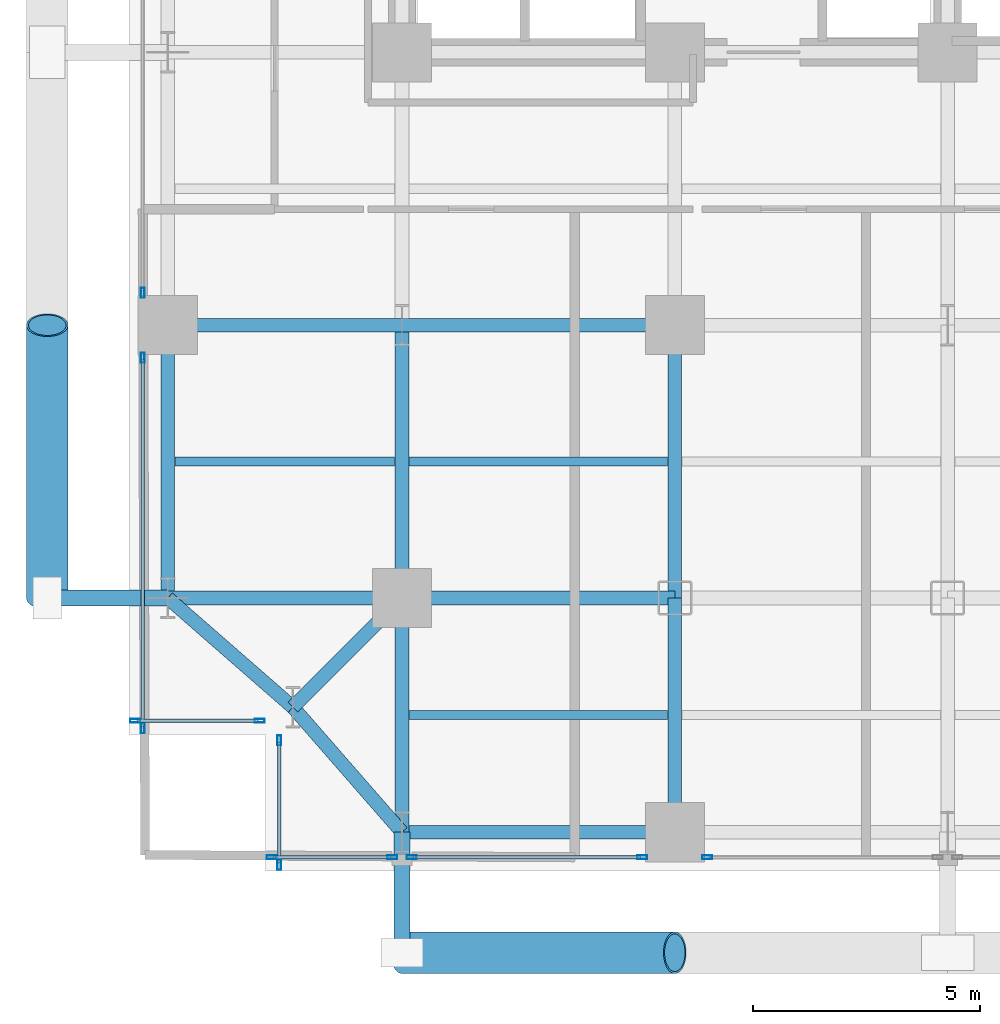
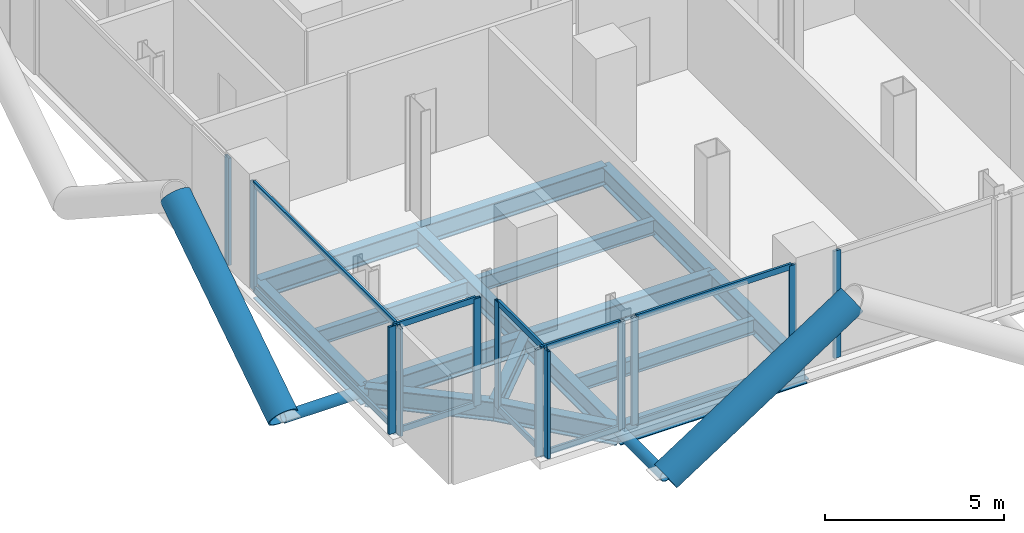
# One storey, part 2 of 27: 26 members, 16 beams, 7 elements without a shape of their own.
"""IFC4 building model written with IfcOpenShell, lengths in metres."""

import ifcopenshell
import ifcopenshell.guid

model = None  # the IFC model being written
_history = None  # IfcOwnerHistory: only IFC2X3 demands one
_inside = {}  # id of a spatial element -> (the spatial element, [elements in it])
_under = {}  # id of a project, library or spatial element -> (it, [spatial elements below it])
_declared = {}  # id of a project -> (the project, [libraries it declares])
_typed = {}  # id of a type object -> (the type object, [elements of that type])
_made_of = {}  # id of a material, layer set ... -> (it, [elements and type objects made of it])


def new_model(schema):
    """Start an empty IFC model of exactly this schema.

    Asked for "IFC4X3", IfcOpenShell would pick the latest addendum, in which some entities
    have other attributes; the version numbers below select the first issue.
    IFC2X3 requires an IfcOwnerHistory on every rooted entity: one is made here for all.
    """
    global model, _history
    if schema == "IFC4X3":
        model = ifcopenshell.file(schema_version=(4, 3, 0, 0))
    else:
        model = ifcopenshell.file(schema=schema)
    _inside.clear()
    _under.clear()
    _declared.clear()
    _typed.clear()
    _made_of.clear()
    _history = None
    if model.schema == "IFC2X3":
        org = make("IfcOrganization", Name="unknown")
        user = make(
            "IfcPersonAndOrganization",
            ThePerson=make("IfcPerson", FamilyName="unknown"),
            TheOrganization=org,
        )
        app = make(
            "IfcApplication",
            ApplicationDeveloper=org,
            Version="unknown",
            ApplicationFullName="unknown",
            ApplicationIdentifier="unknown",
        )
        _history = make(
            "IfcOwnerHistory",
            OwningUser=user,
            OwningApplication=app,
            ChangeAction="ADDED",
            CreationDate=0,
        )
    return model


def make(cls, **values):
    """One entity of the class cls with the attributes given. An attribute that is None is left unset."""
    return model.create_entity(
        cls, **{name: value for name, value in values.items() if value is not None}
    )


def rooted(cls, **values):
    """An entity with a GlobalId (a new one), such as an element, a storey or a relation."""
    return make(cls, GlobalId=ifcopenshell.guid.new(), OwnerHistory=_history, **values)


def si_unit(unit_type, name, prefix=None):
    """IfcSIUnit, for example si_unit("LENGTHUNIT", "METRE", prefix="MILLI")."""
    return make("IfcSIUnit", UnitType=unit_type, Prefix=prefix, Name=name)


def assignment(units):
    """IfcUnitAssignment: the units of a project."""
    return None if units is None else make("IfcUnitAssignment", Units=units)


def point(xyz):
    """IfcCartesianPoint."""
    return None if xyz is None else make("IfcCartesianPoint", Coordinates=xyz)


def direction(xyz):
    """IfcDirection."""
    return None if xyz is None else make("IfcDirection", DirectionRatios=xyz)


def frame(location, z_axis=None, x_axis=None):
    """IfcAxis2Placement3D, a coordinate frame: its origin and axes. An axis left out is left unset."""
    return make(
        "IfcAxis2Placement3D",
        Location=point(location),
        Axis=direction(z_axis),
        RefDirection=direction(x_axis),
    )


def frame_2d(location, x_axis=None):
    """IfcAxis2Placement2D, a coordinate frame in the plane: its origin and x axis."""
    return make(
        "IfcAxis2Placement2D", Location=point(location), RefDirection=direction(x_axis)
    )


def origin():
    """The frame at (0, 0, 0) with its axes left unset."""
    return frame((0.0, 0.0, 0.0))


def origin_2d():
    """The frame at (0, 0) in the plane with its x axis left unset."""
    return frame_2d((0.0, 0.0))


def place(relative_to, where):
    """IfcLocalPlacement: puts the frame where relative to a parent placement (None: the world)."""
    return make(
        "IfcLocalPlacement", PlacementRelTo=relative_to, RelativePlacement=where
    )


def context(
    kind, dimensions, precision=None, world=None, true_north=None, identifier=None
):
    """IfcGeometricRepresentationContext, for example the 3D "Model" context."""
    return make(
        "IfcGeometricRepresentationContext",
        ContextIdentifier=identifier,
        ContextType=kind,
        CoordinateSpaceDimension=dimensions,
        Precision=precision,
        WorldCoordinateSystem=world,
        TrueNorth=true_north,
    )


def subcontext(parent, identifier, kind, view, scale=None):
    """IfcGeometricRepresentationSubContext, for example "Body" below "Model"."""
    return make(
        "IfcGeometricRepresentationSubContext",
        ContextIdentifier=identifier,
        ContextType=kind,
        ParentContext=parent,
        TargetScale=scale,
        TargetView=view,
    )


def project(units=None, contexts=None):
    """IfcProject with its units and contexts."""
    return rooted(
        "IfcProject",
        Name="project",
        RepresentationContexts=contexts,
        UnitsInContext=assignment(units),
    )


def spatial(cls, under=None, at=None, **own):
    """A site, building, storey or space (cls), placed at a placement, below another one or the project."""
    s = rooted(cls, ObjectPlacement=at, **own)
    if under is not None:
        _under.setdefault(under.id(), (under, []))[1].append(s)
    return s


def profile(cls, at=None, kind="AREA", **sizes):
    """A parametric profile (cls). Its sizes go by their IFC names, for example OverallWidth=200.0."""
    return make(cls, ProfileType=kind, Position=at, **sizes)


def hollow_rectangle(**sizes):
    """IfcRectangleHollowProfileDef."""
    return profile("IfcRectangleHollowProfileDef", **sizes)


def hollow_circle(**sizes):
    """IfcCircleHollowProfileDef."""
    return profile("IfcCircleHollowProfileDef", **sizes)


def i_section(**sizes):
    """IfcIShapeProfileDef."""
    return profile("IfcIShapeProfileDef", **sizes)


def extrude(swept, where, along, depth):
    """IfcExtrudedAreaSolid: the profile swept, set in the frame where, extruded along a direction by depth."""
    return make(
        "IfcExtrudedAreaSolid",
        SweptArea=swept,
        Position=where,
        ExtrudedDirection=direction(along),
        Depth=depth,
    )


def shape(context_of_items, identifier, shape_type, items):
    """IfcShapeRepresentation: the items that make up one representation, for example the "Body"."""
    return make(
        "IfcShapeRepresentation",
        ContextOfItems=context_of_items,
        RepresentationIdentifier=identifier,
        RepresentationType=shape_type,
        Items=items,
    )


def material(Name=None, Category=None):
    """IfcMaterial."""
    return make("IfcMaterial", Name=Name, Category=Category)


def layer(
    of_material, thickness, ventilated=None, Name=None, Category=None, Priority=None
):
    """IfcMaterialLayer: one layer of a wall or slab, of a material (None: an air gap)."""
    return make(
        "IfcMaterialLayer",
        Material=of_material,
        LayerThickness=thickness,
        IsVentilated=ventilated,
        Name=Name,
        Category=Category,
        Priority=Priority,
    )


def layer_set(layers, Name=None):
    """IfcMaterialLayerSet."""
    return make("IfcMaterialLayerSet", MaterialLayers=layers, LayerSetName=Name)


def material_profile(
    of_material, cross_section, Name=None, Category=None, Priority=None
):
    """IfcMaterialProfile: a cross section and its material."""
    return make(
        "IfcMaterialProfile",
        Name=Name,
        Material=of_material,
        Profile=cross_section,
        Priority=Priority,
        Category=Category,
    )


def profile_set(profiles, Name=None, composite=None):
    """IfcMaterialProfileSet."""
    return make(
        "IfcMaterialProfileSet",
        Name=Name,
        MaterialProfiles=profiles,
        CompositeProfile=composite,
    )


def made_of(thing, what):
    """Note that an element or type object is made of a material, layer set ...; save() writes the relation."""
    if what is not None:
        _made_of.setdefault(what.id(), (what, []))[1].append(thing)
    return thing


def type_object(cls, material=None, **own):
    """A type object (cls), such as IfcWallType, which elements share."""
    return made_of(rooted(cls, **own), material)


def element(
    cls,
    number,
    at=None,
    inside=None,
    cuts=None,
    type_object=None,
    material=None,
    context=None,
    identifier="Body",
    shape_type=None,
    held_by="IfcProductDefinitionShape",
    body=None,
    shapes=None,
    **own,
):
    """One element of the class cls, such as IfcWall. Its Tag is "e" and its number.

    at: its placement. inside: the storey or other place that contains it. cuts: it is an
    opening in that element (IfcRelVoidsElement). A single representation is given by context,
    identifier, shape_type and body (its items); several are given by shapes. held_by: the class
    of the entity that holds the representations. save() writes the other relations.
    """
    e = rooted(cls, Tag="e%d" % number, ObjectPlacement=at, **own)
    if body is not None:
        shapes = [shape(context, identifier, shape_type, body)]
    if shapes is not None:
        e.Representation = make(held_by, Representations=shapes)
    if inside is not None:
        _inside.setdefault(inside.id(), (inside, []))[1].append(e)
    if cuts is not None:
        rooted(
            "IfcRelVoidsElement", RelatingBuildingElement=cuts, RelatedOpeningElement=e
        )
    if type_object is not None:
        _typed.setdefault(type_object.id(), (type_object, []))[1].append(e)
    return made_of(e, material)


def aggregate(whole, parts):
    """IfcRelAggregates: a whole, such as a stair, and the parts it consists of."""
    return rooted("IfcRelAggregates", RelatingObject=whole, RelatedObjects=parts)


def save(model, path):
    """Write the relations noted so far, then the file.

    IfcRelAggregates (storeys below a building ...), IfcRelContainedInSpatialStructure (elements
    in a storey), IfcRelDefinesByType, IfcRelAssociatesMaterial and IfcRelDeclares: one each for
    every whole, place, type object, material and project.
    """
    for whole, parts in _under.values():
        aggregate(whole, parts)
    for where, things in _inside.values():
        rooted(
            "IfcRelContainedInSpatialStructure",
            RelatedElements=things,
            RelatingStructure=where,
        )
    for kind, things in _typed.values():
        rooted("IfcRelDefinesByType", RelatedObjects=things, RelatingType=kind)
    for what, things in _made_of.values():
        rooted("IfcRelAssociatesMaterial", RelatedObjects=things, RelatingMaterial=what)
    for by, libraries in _declared.values():
        rooted("IfcRelDeclares", RelatingContext=by, RelatedDefinitions=libraries)
    model.write(path)


model = new_model("IFC4")

# Units and contexts
model_context = context("Model", 3, precision=1e-05, world=origin(), true_north=direction((0.0, 1.0)))
body_context = subcontext(model_context, "Body", "Model", "MODEL_VIEW")
ifc_project = project(units=[si_unit("LENGTHUNIT", "METRE"), si_unit("AREAUNIT", "SQUARE_METRE"), si_unit("VOLUMEUNIT", "CUBIC_METRE"), si_unit("PLANEANGLEUNIT", "RADIAN"), si_unit("MASSUNIT", "GRAM", prefix="KILO"), si_unit("THERMODYNAMICTEMPERATUREUNIT", "KELVIN"), si_unit("POWERUNIT", "WATT")], contexts=[model_context])

# Site, building, storey
site_placement = place(None, origin())
site = spatial("IfcSite", under=ifc_project, at=site_placement, CompositionType="ELEMENT")
building_placement = place(site_placement, origin())
building = spatial("IfcBuilding", under=site, at=building_placement, Name="Svarakhadi Broadcast Tower", CompositionType="ELEMENT")
storey_placement = place(building_placement, frame((0.0, 0.0, 71.39990234375)))
storey = spatial("IfcBuildingStorey", under=building, at=storey_placement, Name="L16", CompositionType="ELEMENT", Elevation=71.39990234375)

# Beams
ifc_material_1 = material(Name="Steel S355J2 (IS 2062 E350C)", Category="steel")
ifc_material_profile_1 = material_profile(ifc_material_1, i_section(OverallWidth=0.199951171875, OverallDepth=0.5, WebThickness=0.01025390625, FlangeThickness=0.01611328125, FilletRadius=0.02099609375, at=origin_2d()), Name="NPB 500x200x91")
ifc_profile_set_1 = profile_set([ifc_material_profile_1], Name="Steel S355J2 (IS 2062 E350C)")
beam_type_1 = type_object("IfcBeamType", Name="Beam_NPB500", PredefinedType="BEAM", material=ifc_profile_set_1)
beam_1_placement = place(storey_placement, frame((1.010009765625, 9.0, -0.5), z_axis=(1.0, 0.0, 0.0), x_axis=(0.0, 1.0, 0.0)))
element("IfcBeam", 1, at=beam_1_placement, inside=storey, type_object=beam_type_1, Name="L16 Secondary Composite Beam SB001", PredefinedType="BEAM", context=body_context, shape_type="SweptSolid", body=[
    extrude(i_section(OverallWidth=0.199951171875, OverallDepth=0.5, WebThickness=0.01025390625, FlangeThickness=0.01611328125, FilletRadius=0.02099609375, at=origin_2d()), origin(), (0.0, 0.0, 1.0), 4.830078125),
])
for number, where, z_axis, x_axis, name in (
    (2, (6.159912109375, 3.425048828125, -0.5), (1.0, 0.0, 0.0), (0.0, 1.0, 0.0), "L16 Secondary Composite Beam SB007"),
    (3, (6.159912109375, 9.0, -0.5), (1.0, 0.0, 0.0), (0.0, 1.0, 0.0), "L16 Secondary Composite Beam SB008"),
):
    element("IfcBeam", number, at=place(storey_placement, frame(where, z_axis=z_axis, x_axis=x_axis)), inside=storey, type_object=beam_type_1, Name=name, PredefinedType="BEAM", context=body_context, shape_type="SweptSolid", body=[
        extrude(i_section(OverallWidth=0.199951171875, OverallDepth=0.5, WebThickness=0.01025390625, FlangeThickness=0.01611328125, FilletRadius=0.02099609375, at=origin_2d()), origin(), (0.0, 0.0, 1.0), 5.68017578125),
    ])

# Curtain wall, members
ifc_material_2 = material(Name="Anodised Bronze Aluminium AA 6063-T6", Category="aluminium")
ifc_layer = layer(ifc_material_2, 0.219970703125)
ifc_layer_set = layer_set([ifc_layer], Name="Anodised Bronze Aluminium AA 6063-T6")
curtain_wall_type = type_object("IfcCurtainWallType", Name="CW_Sys_02", PredefinedType="NOTDEFINED", material=ifc_layer_set)
curtain_wall_1_placement = place(storey_placement, origin())
curtain_wall_1 = element("IfcCurtainWall", 4, at=curtain_wall_1_placement, inside=storey, type_object=curtain_wall_type, Name="L16 Unitised Facade Curtain Wall 01", PredefinedType="NOTDEFINED")
ifc_material_profile_2 = material_profile(ifc_material_2, hollow_rectangle(XDim=0.0849609375, YDim=0.219970703125, WallThickness=0.006103515625, at=origin_2d()), Name="ALU MULLION 220x85x6")
ifc_profile_set_2 = profile_set([ifc_material_profile_2], Name="Anodised Bronze Aluminium AA 6063-T6")
member_type_1 = type_object("IfcMemberType", Name="CW_Sys_02_Mul", PredefinedType="MULLION", material=ifc_profile_set_2)
member_1_placement = place(storey_placement, frame((2.867431640625, 3.300048828125, 0.0), z_axis=(0.0, 0.0, 1.0), x_axis=(0.0, -1.0, 0.0)))
member_1 = element("IfcMember", 5, at=member_1_placement, type_object=member_type_1, Name="CW-02 mullion 1", PredefinedType="MULLION", context=body_context, shape_type="SweptSolid", body=[
    extrude(hollow_rectangle(XDim=0.0849609375, YDim=0.219970703125, WallThickness=0.006103515625, at=origin_2d()), origin(), (0.0, 0.0, 1.0), 3.650146484375),
])
member_2_placement = place(storey_placement, frame((0.132568359375, 3.300048828125, 0.0), z_axis=(0.0, 0.0, 1.0), x_axis=(0.0, -1.0, 0.0)))
member_2 = element("IfcMember", 6, at=member_2_placement, type_object=member_type_1, Name="CW-02 mullion 2", PredefinedType="MULLION", context=body_context, shape_type="SweptSolid", body=[
    extrude(hollow_rectangle(XDim=0.0849609375, YDim=0.219970703125, WallThickness=0.006103515625, at=origin_2d()), origin(), (0.0, 0.0, 1.0), 3.650146484375),
])

curtain_wall_2_placement = place(storey_placement, origin())
curtain_wall_2 = element("IfcCurtainWall", 7, at=curtain_wall_2_placement, inside=storey, type_object=curtain_wall_type, Name="L16 West Curtain Wall 02 Bay 1", PredefinedType="NOTDEFINED")
member_3_placement = place(storey_placement, frame((0.300048828125, 3.132568359375, 0.0), z_axis=(0.0, 0.0, 1.0), x_axis=(-1.0, 0.0, 0.0)))
member_3 = element("IfcMember", 8, at=member_3_placement, type_object=member_type_1, Name="CW-02 mullion 1", PredefinedType="MULLION", context=body_context, shape_type="SweptSolid", body=[
    extrude(hollow_rectangle(XDim=0.0849609375, YDim=0.219970703125, WallThickness=0.006103515625, at=origin_2d()), origin(), (0.0, 0.0, 1.0), 3.650146484375),
])
member_4_placement = place(storey_placement, frame((0.300048828125, 11.28759765625, 0.0), z_axis=(0.0, 0.0, 1.0), x_axis=(-1.0, 0.0, 0.0)))
member_4 = element("IfcMember", 9, at=member_4_placement, type_object=member_type_1, Name="CW-02 mullion 2", PredefinedType="MULLION", context=body_context, shape_type="SweptSolid", body=[
    extrude(hollow_rectangle(XDim=0.0849609375, YDim=0.219970703125, WallThickness=0.006103515625, at=origin_2d()), origin(), (0.0, 0.0, 1.0), 3.650146484375),
])

# Curtain wall, member
curtain_wall_3_placement = place(storey_placement, origin())
curtain_wall_3 = element("IfcCurtainWall", 10, at=curtain_wall_3_placement, inside=storey, type_object=curtain_wall_type, Name="L16 West Curtain Wall 02 Bay 2", PredefinedType="NOTDEFINED")
member_5_placement = place(storey_placement, frame((0.300048828125, 12.71240234375, 0.0), z_axis=(0.0, 0.0, 1.0), x_axis=(-1.0, 0.0, 0.0)))
member_5 = element("IfcMember", 11, at=member_5_placement, type_object=member_type_1, Name="CW-02 mullion 1", PredefinedType="MULLION", context=body_context, shape_type="SweptSolid", body=[
    extrude(hollow_rectangle(XDim=0.0849609375, YDim=0.219970703125, WallThickness=0.006103515625, at=origin_2d()), origin(), (0.0, 0.0, 1.0), 3.650146484375),
])
aggregate(curtain_wall_3, [member_5])

curtain_wall_4_placement = place(storey_placement, origin())
curtain_wall_4 = element("IfcCurtainWall", 12, at=curtain_wall_4_placement, inside=storey, type_object=curtain_wall_type, Name="L16 South Curtain Wall 17 Bay 5", PredefinedType="NOTDEFINED")
member_6_placement = place(storey_placement, frame((12.71240234375, 0.300048828125, 0.0), z_axis=(0.0, 0.0, 1.0), x_axis=(0.0, -1.0, 0.0)))
member_6 = element("IfcMember", 13, at=member_6_placement, type_object=member_type_1, Name="CW-02 mullion 2", PredefinedType="MULLION", context=body_context, shape_type="SweptSolid", body=[
    extrude(hollow_rectangle(XDim=0.0849609375, YDim=0.219970703125, WallThickness=0.006103515625, at=origin_2d()), origin(), (0.0, 0.0, 1.0), 3.650146484375),
])
aggregate(curtain_wall_4, [member_6])

# Curtain wall, members
curtain_wall_5_placement = place(storey_placement, origin())
curtain_wall_5 = element("IfcCurtainWall", 14, at=curtain_wall_5_placement, inside=storey, type_object=curtain_wall_type, Name="L16 South Curtain Wall 17 Bay 6", PredefinedType="NOTDEFINED")
member_7_placement = place(storey_placement, frame((11.28759765625, 0.300048828125, 0.0), z_axis=(0.0, 0.0, 1.0), x_axis=(0.0, -1.0, 0.0)))
member_7 = element("IfcMember", 15, at=member_7_placement, type_object=member_type_1, Name="CW-02 mullion 1", PredefinedType="MULLION", context=body_context, shape_type="SweptSolid", body=[
    extrude(hollow_rectangle(XDim=0.0849609375, YDim=0.219970703125, WallThickness=0.006103515625, at=origin_2d()), origin(), (0.0, 0.0, 1.0), 3.650146484375),
])
member_8_placement = place(storey_placement, frame((6.21240234375, 0.300048828125, 0.0), z_axis=(0.0, 0.0, 1.0), x_axis=(0.0, -1.0, 0.0)))
member_8 = element("IfcMember", 16, at=member_8_placement, type_object=member_type_1, Name="CW-02 mullion 2", PredefinedType="MULLION", context=body_context, shape_type="SweptSolid", body=[
    extrude(hollow_rectangle(XDim=0.0849609375, YDim=0.219970703125, WallThickness=0.006103515625, at=origin_2d()), origin(), (0.0, 0.0, 1.0), 3.650146484375),
])

curtain_wall_6_placement = place(storey_placement, origin())
curtain_wall_6 = element("IfcCurtainWall", 17, at=curtain_wall_6_placement, inside=storey, type_object=curtain_wall_type, Name="L16 South Curtain Wall 17 Bay 7", PredefinedType="NOTDEFINED")
member_9_placement = place(storey_placement, frame((5.78759765625, 0.300048828125, 0.0), z_axis=(0.0, 0.0, 1.0), x_axis=(0.0, -1.0, 0.0)))
member_9 = element("IfcMember", 18, at=member_9_placement, type_object=member_type_1, Name="CW-02 mullion 1", PredefinedType="MULLION", context=body_context, shape_type="SweptSolid", body=[
    extrude(hollow_rectangle(XDim=0.0849609375, YDim=0.219970703125, WallThickness=0.006103515625, at=origin_2d()), origin(), (0.0, 0.0, 1.0), 3.650146484375),
])
member_10_placement = place(storey_placement, frame((3.132568359375, 0.300048828125, 0.0), z_axis=(0.0, 0.0, 1.0), x_axis=(0.0, -1.0, 0.0)))
member_10 = element("IfcMember", 19, at=member_10_placement, type_object=member_type_1, Name="CW-02 mullion 2", PredefinedType="MULLION", context=body_context, shape_type="SweptSolid", body=[
    extrude(hollow_rectangle(XDim=0.0849609375, YDim=0.219970703125, WallThickness=0.006103515625, at=origin_2d()), origin(), (0.0, 0.0, 1.0), 3.650146484375),
])

curtain_wall_7_placement = place(storey_placement, origin())
curtain_wall_7 = element("IfcCurtainWall", 20, at=curtain_wall_7_placement, inside=storey, type_object=curtain_wall_type, Name="L16 Unitised Facade Curtain Wall 18", PredefinedType="NOTDEFINED")
member_11_placement = place(storey_placement, frame((3.300048828125, 0.132568359375, 0.0), z_axis=(0.0, 0.0, 1.0), x_axis=(-1.0, 0.0, 0.0)))
member_11 = element("IfcMember", 21, at=member_11_placement, type_object=member_type_1, Name="CW-02 mullion 1", PredefinedType="MULLION", context=body_context, shape_type="SweptSolid", body=[
    extrude(hollow_rectangle(XDim=0.0849609375, YDim=0.219970703125, WallThickness=0.006103515625, at=origin_2d()), origin(), (0.0, 0.0, 1.0), 3.650146484375),
])
member_12_placement = place(storey_placement, frame((3.300048828125, 2.867431640625, 0.0), z_axis=(0.0, 0.0, 1.0), x_axis=(-1.0, 0.0, 0.0)))
member_12 = element("IfcMember", 22, at=member_12_placement, type_object=member_type_1, Name="CW-02 mullion 2", PredefinedType="MULLION", context=body_context, shape_type="SweptSolid", body=[
    extrude(hollow_rectangle(XDim=0.0849609375, YDim=0.219970703125, WallThickness=0.006103515625, at=origin_2d()), origin(), (0.0, 0.0, 1.0), 3.650146484375),
])

# Member
ifc_material_profile_3 = material_profile(ifc_material_2, hollow_rectangle(XDim=0.074951171875, YDim=0.199951171875, WallThickness=0.0048828125, at=origin_2d()), Name="ALU TRANSOM 200x75x5")
ifc_profile_set_3 = profile_set([ifc_material_profile_3], Name="Anodised Bronze Aluminium AA 6063-T6")
member_type_2 = type_object("IfcMemberType", Name="CW_Sys_02_Trn", PredefinedType="USERDEFINED", material=ifc_profile_set_3)
member_13_placement = place(storey_placement, frame((2.824951171875, 3.300048828125, 0.03759765625), z_axis=(-1.0, 0.0, 0.0), x_axis=(0.0, -1.0, 0.0)))
member_13 = element("IfcMember", 23, at=member_13_placement, type_object=member_type_2, Name="CW-02 transom 1.1", ObjectType="TRANSOM", PredefinedType="USERDEFINED", context=body_context, shape_type="SweptSolid", body=[
    extrude(hollow_rectangle(XDim=0.074951171875, YDim=0.199951171875, WallThickness=0.0048828125, at=origin_2d()), origin(), (0.0, 0.0, 1.0), 2.64990234375),
])

member_14_placement = place(storey_placement, frame((2.824951171875, 3.300048828125, 3.612548828125), z_axis=(-1.0, 0.0, 0.0), x_axis=(0.0, -1.0, 0.0)))
member_14 = element("IfcMember", 24, at=member_14_placement, type_object=member_type_2, Name="CW-02 transom 1.2", ObjectType="TRANSOM", PredefinedType="USERDEFINED", context=body_context, shape_type="SweptSolid", body=[
    extrude(hollow_rectangle(XDim=0.074951171875, YDim=0.199951171875, WallThickness=0.0048828125, at=origin_2d()), origin(), (0.0, 0.0, 1.0), 2.64990234375),
])

aggregate(curtain_wall_1, [member_1, member_2, member_13, member_14])

member_15_placement = place(storey_placement, frame((0.300048828125, 3.175048828125, 0.03759765625), z_axis=(0.0, 1.0, 0.0), x_axis=(-1.0, 0.0, 0.0)))
member_15 = element("IfcMember", 25, at=member_15_placement, type_object=member_type_2, Name="CW-02 transom 1.1", ObjectType="TRANSOM", PredefinedType="USERDEFINED", context=body_context, shape_type="SweptSolid", body=[
    extrude(hollow_rectangle(XDim=0.074951171875, YDim=0.199951171875, WallThickness=0.0048828125, at=origin_2d()), origin(), (0.0, 0.0, 1.0), 8.070068359375),
])

member_16_placement = place(storey_placement, frame((0.300048828125, 3.175048828125, 3.612548828125), z_axis=(0.0, 1.0, 0.0), x_axis=(-1.0, 0.0, 0.0)))
member_16 = element("IfcMember", 26, at=member_16_placement, type_object=member_type_2, Name="CW-02 transom 1.2", ObjectType="TRANSOM", PredefinedType="USERDEFINED", context=body_context, shape_type="SweptSolid", body=[
    extrude(hollow_rectangle(XDim=0.074951171875, YDim=0.199951171875, WallThickness=0.0048828125, at=origin_2d()), origin(), (0.0, 0.0, 1.0), 8.070068359375),
])

aggregate(curtain_wall_2, [member_3, member_4, member_15, member_16])

member_17_placement = place(storey_placement, frame((11.2451171875, 0.300048828125, 0.03759765625), z_axis=(-1.0, 0.0, 0.0), x_axis=(0.0, -1.0, 0.0)))
member_17 = element("IfcMember", 27, at=member_17_placement, type_object=member_type_2, Name="CW-02 transom 1.1", ObjectType="TRANSOM", PredefinedType="USERDEFINED", context=body_context, shape_type="SweptSolid", body=[
    extrude(hollow_rectangle(XDim=0.074951171875, YDim=0.199951171875, WallThickness=0.0048828125, at=origin_2d()), origin(), (0.0, 0.0, 1.0), 4.990234375),
])

member_18_placement = place(storey_placement, frame((11.2451171875, 0.300048828125, 3.612548828125), z_axis=(-1.0, 0.0, 0.0), x_axis=(0.0, -1.0, 0.0)))
member_18 = element("IfcMember", 28, at=member_18_placement, type_object=member_type_2, Name="CW-02 transom 1.2", ObjectType="TRANSOM", PredefinedType="USERDEFINED", context=body_context, shape_type="SweptSolid", body=[
    extrude(hollow_rectangle(XDim=0.074951171875, YDim=0.199951171875, WallThickness=0.0048828125, at=origin_2d()), origin(), (0.0, 0.0, 1.0), 4.990234375),
])

aggregate(curtain_wall_5, [member_7, member_8, member_17, member_18])

member_19_placement = place(storey_placement, frame((5.7451171875, 0.300048828125, 0.03759765625), z_axis=(-1.0, 0.0, 0.0), x_axis=(0.0, -1.0, 0.0)))
member_19 = element("IfcMember", 29, at=member_19_placement, type_object=member_type_2, Name="CW-02 transom 1.1", ObjectType="TRANSOM", PredefinedType="USERDEFINED", context=body_context, shape_type="SweptSolid", body=[
    extrude(hollow_rectangle(XDim=0.074951171875, YDim=0.199951171875, WallThickness=0.0048828125, at=origin_2d()), origin(), (0.0, 0.0, 1.0), 2.570068359375),
])

member_20_placement = place(storey_placement, frame((5.7451171875, 0.300048828125, 3.612548828125), z_axis=(-1.0, 0.0, 0.0), x_axis=(0.0, -1.0, 0.0)))
member_20 = element("IfcMember", 30, at=member_20_placement, type_object=member_type_2, Name="CW-02 transom 1.2", ObjectType="TRANSOM", PredefinedType="USERDEFINED", context=body_context, shape_type="SweptSolid", body=[
    extrude(hollow_rectangle(XDim=0.074951171875, YDim=0.199951171875, WallThickness=0.0048828125, at=origin_2d()), origin(), (0.0, 0.0, 1.0), 2.570068359375),
])

aggregate(curtain_wall_6, [member_9, member_10, member_19, member_20])

member_21_placement = place(storey_placement, frame((3.300048828125, 0.175048828125, 0.03759765625), z_axis=(0.0, 1.0, 0.0), x_axis=(-1.0, 0.0, 0.0)))
member_21 = element("IfcMember", 31, at=member_21_placement, type_object=member_type_2, Name="CW-02 transom 1.1", ObjectType="TRANSOM", PredefinedType="USERDEFINED", context=body_context, shape_type="SweptSolid", body=[
    extrude(hollow_rectangle(XDim=0.074951171875, YDim=0.199951171875, WallThickness=0.0048828125, at=origin_2d()), origin(), (0.0, 0.0, 1.0), 2.64990234375),
])

member_22_placement = place(storey_placement, frame((3.300048828125, 0.175048828125, 3.612548828125), z_axis=(0.0, 1.0, 0.0), x_axis=(-1.0, 0.0, 0.0)))
member_22 = element("IfcMember", 32, at=member_22_placement, type_object=member_type_2, Name="CW-02 transom 1.2", ObjectType="TRANSOM", PredefinedType="USERDEFINED", context=body_context, shape_type="SweptSolid", body=[
    extrude(hollow_rectangle(XDim=0.074951171875, YDim=0.199951171875, WallThickness=0.0048828125, at=origin_2d()), origin(), (0.0, 0.0, 1.0), 2.64990234375),
])

aggregate(curtain_wall_7, [member_11, member_12, member_21, member_22])

# Members
ifc_material_3 = material(Name="Steel S460ML (IS 2062 E450BR)", Category="steel")
ifc_material_profile_4 = material_profile(ifc_material_3, hollow_circle(Radius=0.45703125, WallThickness=0.044921875, at=origin_2d()), Name="CHS 914x45")
ifc_profile_set_4 = profile_set([ifc_material_profile_4], Name="Steel S460ML (IS 2062 E450BR)")
member_type_3 = type_object("IfcMemberType", Name="Exo_Brace_CHS914", PredefinedType="BRACE", material=ifc_profile_set_4)
for number, where, z_axis, x_axis, name in (
    (33, (6.0, -1.800048828125, -0.427734375), (0.838434262763, 0.0, 0.545002740383), (0.0, 1.0, 0.0), "L16 Exposed Bronze Exoskeleton Diagonal S01"),
    (34, (-1.800048828125, 6.0, -0.427734375), (0.0, 0.838434262763, 0.545002740383), (-1.0, 0.0, 0.0), "L16 Exposed Bronze Exoskeleton Diagonal W06"),
):
    element("IfcMember", number, at=place(storey_placement, frame(where, z_axis=z_axis, x_axis=x_axis)), inside=storey, type_object=member_type_3, Name=name, PredefinedType="BRACE", context=body_context, shape_type="SweptSolid", body=[
        extrude(hollow_circle(Radius=0.45703125, WallThickness=0.044921875, at=origin_2d()), origin(), (0.0, 0.0, 1.0), 7.15625),
    ])
ifc_material_profile_5 = material_profile(ifc_material_3, hollow_circle(Radius=0.177734375, WallThickness=0.02001953125, at=origin_2d()), Name="CHS 355.6x20")
ifc_profile_set_5 = profile_set([ifc_material_profile_5], Name="Steel S460ML (IS 2062 E450BR)")
member_type_4 = type_object("IfcMemberType", Name="Exo_Radial_Strut_Z1", PredefinedType="STRUT", material=ifc_profile_set_5)
for number, where, z_axis, x_axis, name in (
    (35, (6.0, -1.800048828125, -0.427734375), (0.0, 1.0, 0.0), (-1.0, 0.0, 0.0), "L16 Exoskeleton Radial Tie Strut S01"),
    (36, (-1.800048828125, 6.0, -0.427734375), (1.0, 0.0, 0.0), (0.0, 1.0, 0.0), "L16 Exoskeleton Radial Tie Strut W05"),
):
    element("IfcMember", number, at=place(storey_placement, frame(where, z_axis=z_axis, x_axis=x_axis)), inside=storey, type_object=member_type_4, Name=name, PredefinedType="STRUT", context=body_context, shape_type="SweptSolid", body=[
        extrude(hollow_circle(Radius=0.177734375, WallThickness=0.02001953125, at=origin_2d()), origin(), (0.0, 0.0, 1.0), 2.650146484375),
    ])

# Beams
ifc_material_profile_6 = material_profile(ifc_material_1, i_section(OverallWidth=0.300048828125, OverallDepth=0.64990234375, WebThickness=0.01611328125, FlangeThickness=0.031005859375, FilletRadius=0.027099609375, at=origin_2d()), Name="WPB 650x300x225")
ifc_profile_set_6 = profile_set([ifc_material_profile_6], Name="Steel S355J2 (IS 2062 E350C)")
beam_type_2 = type_object("IfcBeamType", Name="Girder_WPB650", PredefinedType="USERDEFINED", material=ifc_profile_set_6)
beam_2_placement = place(storey_placement, frame((3.60009765625, 3.60009765625, -0.574951171875), z_axis=(0.707106781187, 0.707106781187, 0.0), x_axis=(-0.707106781187, 0.707106781187, 0.0)))
element("IfcBeam", 37, at=beam_2_placement, inside=storey, type_object=beam_type_2, Name="L16 Corner Tie Girder G001", ObjectType="GIRDER", PredefinedType="USERDEFINED", context=body_context, shape_type="SweptSolid", body=[
    extrude(i_section(OverallWidth=0.300048828125, OverallDepth=0.64990234375, WebThickness=0.01611328125, FlangeThickness=0.031005859375, FilletRadius=0.027099609375, at=origin_2d()), origin(), (0.0, 0.0, 1.0), 3.39404296875),
])
for number, where, z_axis, x_axis, name in (
    (38, (3.60009765625, 3.60009765625, -0.574951171875), (-0.753437912176, 0.657519058655, 0.0), (-0.657519058655, -0.753437912176, 0.0), "L16 Corner Tie Girder G002"),
    (39, (3.60009765625, 3.60009765625, -0.574951171875), (0.657519058655, -0.753437912176, 0.0), (0.753437912176, 0.657519058655, 0.0), "L16 Corner Tie Girder G003"),
):
    element("IfcBeam", number, at=place(storey_placement, frame(where, z_axis=z_axis, x_axis=x_axis)), inside=storey, type_object=beam_type_2, Name=name, ObjectType="GIRDER", PredefinedType="USERDEFINED", context=body_context, shape_type="SweptSolid", body=[
        extrude(i_section(OverallWidth=0.300048828125, OverallDepth=0.64990234375, WebThickness=0.01611328125, FlangeThickness=0.031005859375, FilletRadius=0.027099609375, at=origin_2d()), origin(), (0.0, 0.0, 1.0), 3.64990234375),
    ])
beam_3_placement = place(storey_placement, frame((6.0, 0.85009765625, -0.574951171875), z_axis=(1.0, 0.0, 0.0), x_axis=(0.0, 1.0, 0.0)))
element("IfcBeam", 40, at=beam_3_placement, inside=storey, type_object=beam_type_2, Name="L16 Primary E-W Girder G004", ObjectType="GIRDER", PredefinedType="USERDEFINED", context=body_context, shape_type="SweptSolid", body=[
    extrude(i_section(OverallWidth=0.300048828125, OverallDepth=0.64990234375, WebThickness=0.01611328125, FlangeThickness=0.031005859375, FilletRadius=0.027099609375, at=origin_2d()), origin(), (0.0, 0.0, 1.0), 6.0),
])
beam_4_placement = place(storey_placement, frame((0.85009765625, 6.0, -0.574951171875), z_axis=(1.0, 0.0, 0.0), x_axis=(0.0, 1.0, 0.0)))
element("IfcBeam", 41, at=beam_4_placement, inside=storey, type_object=beam_type_2, Name="L16 Primary E-W Girder G011", ObjectType="GIRDER", PredefinedType="USERDEFINED", context=body_context, shape_type="SweptSolid", body=[
    extrude(i_section(OverallWidth=0.300048828125, OverallDepth=0.64990234375, WebThickness=0.01611328125, FlangeThickness=0.031005859375, FilletRadius=0.027099609375, at=origin_2d()), origin(), (0.0, 0.0, 1.0), 5.14990234375),
])
beam_5_placement = place(storey_placement, frame((6.0, 6.0, -0.574951171875), z_axis=(1.0, 0.0, 0.0), x_axis=(0.0, 1.0, 0.0)))
element("IfcBeam", 42, at=beam_5_placement, inside=storey, type_object=beam_type_2, Name="L16 Primary E-W Girder G012", ObjectType="GIRDER", PredefinedType="USERDEFINED", context=body_context, shape_type="SweptSolid", body=[
    extrude(i_section(OverallWidth=0.300048828125, OverallDepth=0.64990234375, WebThickness=0.01611328125, FlangeThickness=0.031005859375, FilletRadius=0.027099609375, at=origin_2d()), origin(), (0.0, 0.0, 1.0), 6.0),
])
beam_6_placement = place(storey_placement, frame((0.85009765625, 12.0, -0.574951171875), z_axis=(1.0, 0.0, 0.0), x_axis=(0.0, 1.0, 0.0)))
element("IfcBeam", 43, at=beam_6_placement, inside=storey, type_object=beam_type_2, Name="L16 Primary E-W Girder G019", ObjectType="GIRDER", PredefinedType="USERDEFINED", context=body_context, shape_type="SweptSolid", body=[
    extrude(i_section(OverallWidth=0.300048828125, OverallDepth=0.64990234375, WebThickness=0.01611328125, FlangeThickness=0.031005859375, FilletRadius=0.027099609375, at=origin_2d()), origin(), (0.0, 0.0, 1.0), 5.14990234375),
])
for number, where, z_axis, x_axis, name in (
    (44, (6.0, 12.0, -0.574951171875), (1.0, 0.0, 0.0), (0.0, 1.0, 0.0), "L16 Primary E-W Girder G020"),
    (45, (0.85009765625, 6.0, -0.574951171875), (0.0, 1.0, 0.0), (-1.0, 0.0, 0.0), "L16 Primary N-S Girder G045"),
):
    element("IfcBeam", number, at=place(storey_placement, frame(where, z_axis=z_axis, x_axis=x_axis)), inside=storey, type_object=beam_type_2, Name=name, ObjectType="GIRDER", PredefinedType="USERDEFINED", context=body_context, shape_type="SweptSolid", body=[
        extrude(i_section(OverallWidth=0.300048828125, OverallDepth=0.64990234375, WebThickness=0.01611328125, FlangeThickness=0.031005859375, FilletRadius=0.027099609375, at=origin_2d()), origin(), (0.0, 0.0, 1.0), 6.0),
    ])
beam_7_placement = place(storey_placement, frame((6.0, 0.85009765625, -0.574951171875), z_axis=(0.0, 1.0, 0.0), x_axis=(-1.0, 0.0, 0.0)))
element("IfcBeam", 46, at=beam_7_placement, inside=storey, type_object=beam_type_2, Name="L16 Primary N-S Girder G051", ObjectType="GIRDER", PredefinedType="USERDEFINED", context=body_context, shape_type="SweptSolid", body=[
    extrude(i_section(OverallWidth=0.300048828125, OverallDepth=0.64990234375, WebThickness=0.01611328125, FlangeThickness=0.031005859375, FilletRadius=0.027099609375, at=origin_2d()), origin(), (0.0, 0.0, 1.0), 5.14990234375),
])
beam_8_placement = place(storey_placement, frame((6.0, 6.0, -0.574951171875), z_axis=(0.0, 1.0, 0.0), x_axis=(-1.0, 0.0, 0.0)))
element("IfcBeam", 47, at=beam_8_placement, inside=storey, type_object=beam_type_2, Name="L16 Primary N-S Girder G052", ObjectType="GIRDER", PredefinedType="USERDEFINED", context=body_context, shape_type="SweptSolid", body=[
    extrude(i_section(OverallWidth=0.300048828125, OverallDepth=0.64990234375, WebThickness=0.01611328125, FlangeThickness=0.031005859375, FilletRadius=0.027099609375, at=origin_2d()), origin(), (0.0, 0.0, 1.0), 6.0),
])
beam_9_placement = place(storey_placement, frame((12.0, 0.85009765625, -0.574951171875), z_axis=(0.0, 1.0, 0.0), x_axis=(-1.0, 0.0, 0.0)))
element("IfcBeam", 48, at=beam_9_placement, inside=storey, type_object=beam_type_2, Name="L16 Primary N-S Girder G058", ObjectType="GIRDER", PredefinedType="USERDEFINED", context=body_context, shape_type="SweptSolid", body=[
    extrude(i_section(OverallWidth=0.300048828125, OverallDepth=0.64990234375, WebThickness=0.01611328125, FlangeThickness=0.031005859375, FilletRadius=0.027099609375, at=origin_2d()), origin(), (0.0, 0.0, 1.0), 5.14990234375),
])
beam_10_placement = place(storey_placement, frame((12.0, 6.0, -0.574951171875), z_axis=(0.0, 1.0, 0.0), x_axis=(-1.0, 0.0, 0.0)))
element("IfcBeam", 49, at=beam_10_placement, inside=storey, type_object=beam_type_2, Name="L16 Primary N-S Girder G059", ObjectType="GIRDER", PredefinedType="USERDEFINED", context=body_context, shape_type="SweptSolid", body=[
    extrude(i_section(OverallWidth=0.300048828125, OverallDepth=0.64990234375, WebThickness=0.01611328125, FlangeThickness=0.031005859375, FilletRadius=0.027099609375, at=origin_2d()), origin(), (0.0, 0.0, 1.0), 6.0),
])

save(model, "model.ifc")
